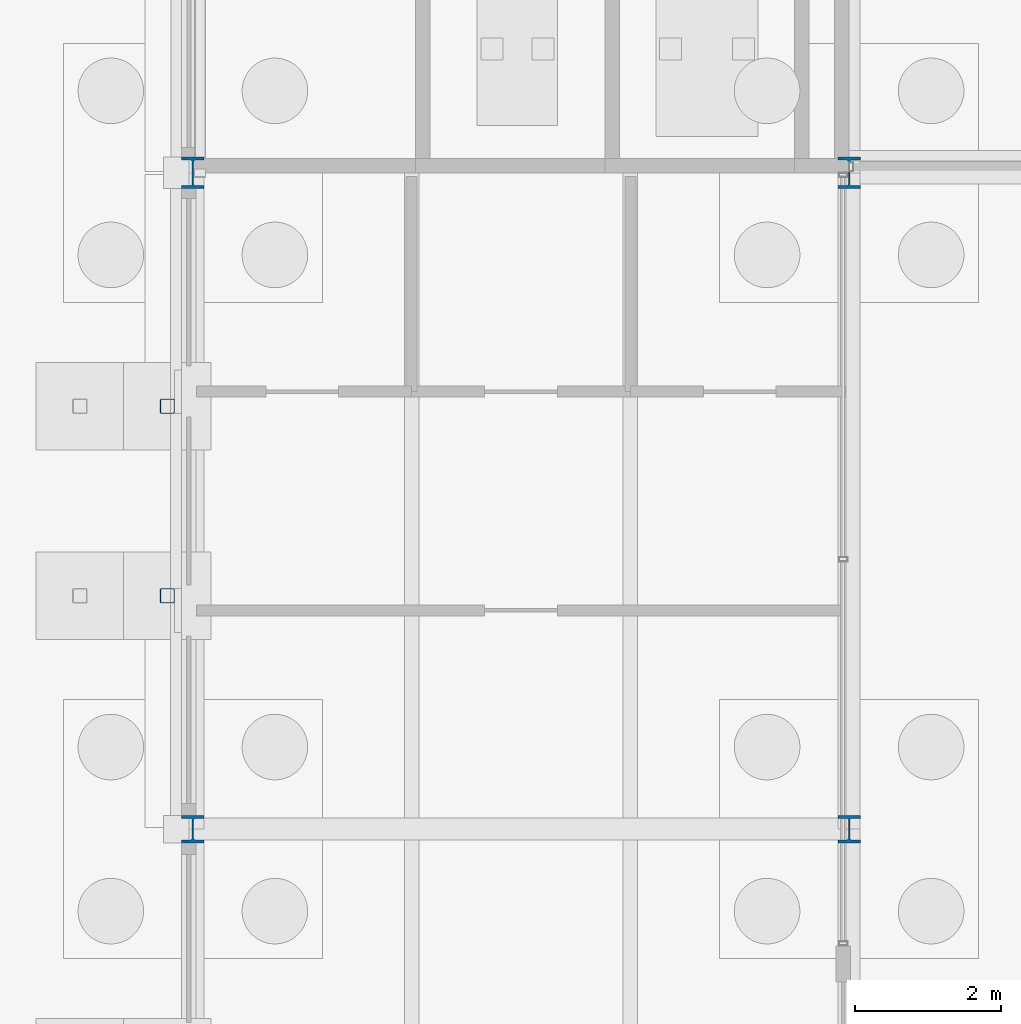
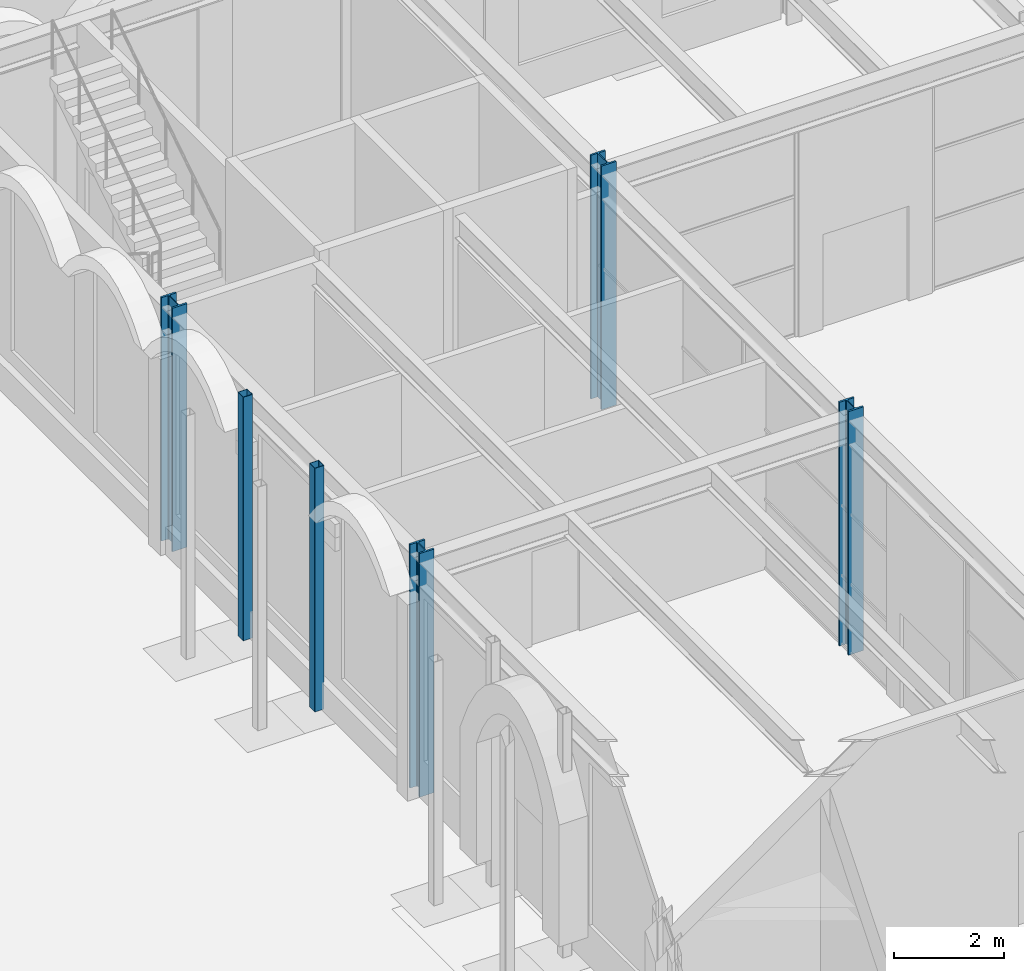
# One storey, part 18 of 126: 6 columns.
"""IFC4 building model written with IfcOpenShell, lengths in metres."""

from ifc_helpers import new_model, si_unit, direction, frame, origin, origin_2d, place, context, subcontext, project, spatial, hollow_rectangle, i_section, extrude, material, material_profile, profile_set, type_object, element, save


model = new_model("IFC4")

# Units and contexts
model_context = context("Model", 3, precision=1e-05, world=origin(), true_north=direction((0.0, 1.0)))
body_context = subcontext(model_context, "Body", "Model", "MODEL_VIEW")
ifc_project = project(units=[si_unit("LENGTHUNIT", "METRE"), si_unit("AREAUNIT", "SQUARE_METRE"), si_unit("VOLUMEUNIT", "CUBIC_METRE"), si_unit("PLANEANGLEUNIT", "RADIAN"), si_unit("MASSUNIT", "GRAM", prefix="KILO")], contexts=[model_context])

# Site, building, storey
site_placement = place(None, origin())
site = spatial("IfcSite", under=ifc_project, at=site_placement, CompositionType="ELEMENT")
building_placement = place(site_placement, origin())
building = spatial("IfcBuilding", under=site, at=building_placement, Name="Kallimachos Central Library", CompositionType="ELEMENT")
storey_placement = place(building_placement, origin())
storey = spatial("IfcBuildingStorey", under=building, at=storey_placement, Name="L00", CompositionType="ELEMENT", Elevation=0.0)

# Columns
ifc_material_1 = material(Name="Steel S355J2", Category="steel")
ifc_material_profile_1 = material_profile(ifc_material_1, i_section(OverallWidth=0.30908203125, OverallDepth=0.376953125, WebThickness=0.02099609375, FlangeThickness=0.0400390625, FilletRadius=0.027099609375, at=origin_2d()), Name="HEM 340")
ifc_profile_set_1 = profile_set([ifc_material_profile_1], Name="Steel S355J2")
column_type_1 = type_object("IfcColumnType", Name="HEM 340 column", PredefinedType="COLUMN", material=ifc_profile_set_1)
for number, where, z_axis, x_axis, name in (
    (1, (65.5, 66.0, 0.0), (0.0, 0.0, 1.0), (1.0, 0.0, 0.0), "V4-COL-L00-018"),
    (2, (74.5, 66.0, 0.0), (0.0, 0.0, 1.0), (1.0, 0.0, 0.0), "V4-COL-L00-019"),
):
    element("IfcColumn", number, at=place(storey_placement, frame(where, z_axis=z_axis, x_axis=x_axis)), inside=storey, type_object=column_type_1, Name=name, PredefinedType="COLUMN", context=body_context, shape_type="SweptSolid", body=[
        extrude(i_section(OverallWidth=0.30908203125, OverallDepth=0.376953125, WebThickness=0.02099609375, FlangeThickness=0.0400390625, FilletRadius=0.027099609375, at=origin_2d()), origin(), (0.0, 0.0, 1.0), 5.39990234375),
    ])
ifc_material_2 = material(Name="Steel S355J2", Category="steel")
ifc_material_profile_2 = material_profile(ifc_material_2, i_section(OverallWidth=0.306884765625, OverallDepth=0.431884765625, WebThickness=0.02099609375, FlangeThickness=0.0400390625, FilletRadius=0.027099609375, at=origin_2d()), Name="HEM 400")
ifc_profile_set_2 = profile_set([ifc_material_profile_2], Name="Steel S355J2")
column_type_2 = type_object("IfcColumnType", Name="HEM 400 column", PredefinedType="COLUMN", material=ifc_profile_set_2)
for number, where, z_axis, x_axis, name in (
    (3, (65.5, 75.0, 0.0), (0.0, 0.0, 1.0), (1.0, 0.0, 0.0), "V4-COL-L00-022"),
    (4, (74.5, 75.0, 0.0), (0.0, 0.0, 1.0), (1.0, 0.0, 0.0), "V4-COL-L00-023"),
):
    element("IfcColumn", number, at=place(storey_placement, frame(where, z_axis=z_axis, x_axis=x_axis)), inside=storey, type_object=column_type_2, Name=name, PredefinedType="COLUMN", context=body_context, shape_type="SweptSolid", body=[
        extrude(i_section(OverallWidth=0.306884765625, OverallDepth=0.431884765625, WebThickness=0.02099609375, FlangeThickness=0.0400390625, FilletRadius=0.027099609375, at=origin_2d()), origin(), (0.0, 0.0, 1.0), 5.39990234375),
    ])
ifc_material_3 = material(Name="Steel S355J2H", Category="steel")
ifc_material_profile_3 = material_profile(ifc_material_3, hollow_rectangle(XDim=0.199951171875, YDim=0.199951171875, WallThickness=0.010009765625, InnerFilletRadius=0.010009765625, OuterFilletRadius=0.014892578125, at=origin_2d()), Name="SHS 200x200x10")
ifc_profile_set_3 = profile_set([ifc_material_profile_3], Name="Steel S355J2H")
column_type_3 = type_object("IfcColumnType", Name="SHS 200x200x10 column", PredefinedType="COLUMN", material=ifc_profile_set_3)
for number, where, z_axis, x_axis, name in (
    (5, (65.14990234375, 69.199951171875, 0.0), (0.0, 0.0, 1.0), (1.0, 0.0, 0.0), "Tribune bay W2 column 1"),
    (6, (65.14990234375, 71.800048828125, 0.0), (0.0, 0.0, 1.0), (1.0, 0.0, 0.0), "Tribune bay W2 column 2"),
):
    element("IfcColumn", number, at=place(storey_placement, frame(where, z_axis=z_axis, x_axis=x_axis)), inside=storey, type_object=column_type_3, Name=name, PredefinedType="COLUMN", context=body_context, shape_type="SweptSolid", body=[
        extrude(hollow_rectangle(XDim=0.199951171875, YDim=0.199951171875, WallThickness=0.010009765625, InnerFilletRadius=0.010009765625, OuterFilletRadius=0.014892578125, at=origin_2d()), origin(), (0.0, 0.0, 1.0), 5.39990234375),
    ])

save(model, "model.ifc")
